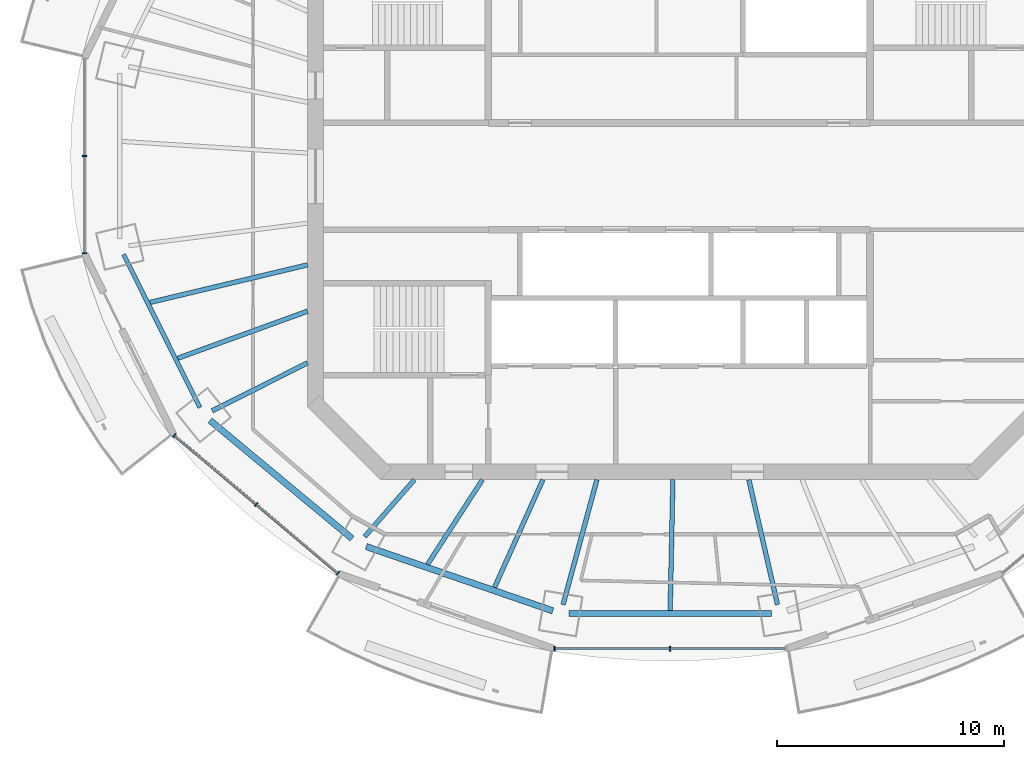
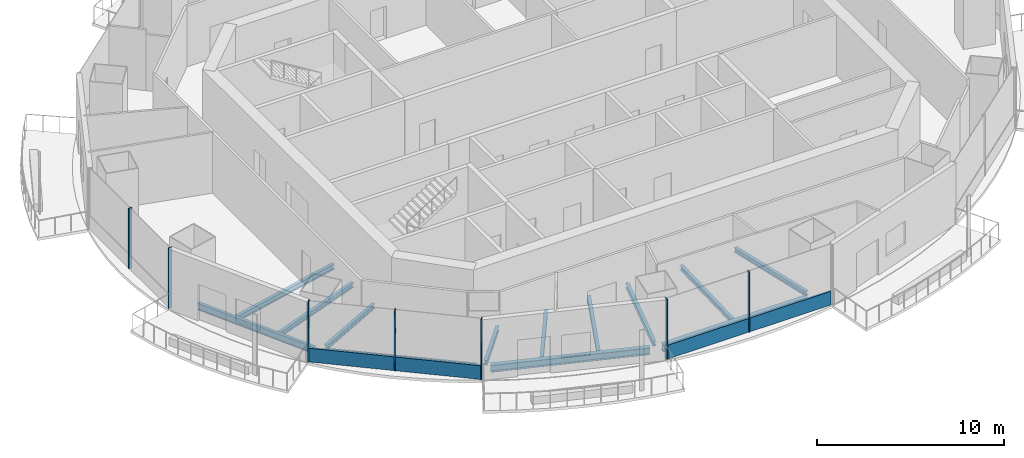
# One storey, part 2 of 16: 13 beams, 9 members, 3 elements without a shape of their own.
"""IFC4 building model written with IfcOpenShell, lengths in metres."""

from ifc_helpers import new_model, si_unit, direction, frame, origin, origin_2d, place, context, subcontext, project, spatial, rectangle, i_section, extrude, material, material_profile, profile_set, type_object, element, aggregate, save


model = new_model("IFC4")

# Units and contexts
model_context = context("Model", 3, precision=1e-05, world=origin(), true_north=direction((0.0, 1.0)))
body_context = subcontext(model_context, "Body", "Model", "MODEL_VIEW")
ifc_project = project(units=[si_unit("LENGTHUNIT", "METRE"), si_unit("AREAUNIT", "SQUARE_METRE"), si_unit("VOLUMEUNIT", "CUBIC_METRE"), si_unit("PLANEANGLEUNIT", "RADIAN"), si_unit("MASSUNIT", "GRAM", prefix="KILO")], contexts=[model_context])

# Site, building, storey
site_placement = place(None, origin())
site = spatial("IfcSite", under=ifc_project, at=site_placement, CompositionType="ELEMENT")
building_placement = place(site_placement, origin())
building = spatial("IfcBuilding", under=site, at=building_placement, Name="Marenthal Gate Tower", CompositionType="ELEMENT")
storey_placement = place(building_placement, frame((0.0, 0.0, 367.5)))
storey = spatial("IfcBuildingStorey", under=building, at=storey_placement, Name="L83", CompositionType="ELEMENT", Elevation=367.5)

# Curtain wall, members
ifc_material_1 = material(Name="Aluminium and glass", Category="aluminium")
curtain_wall_type = type_object("IfcCurtainWallType", Name="Curtain wall typical high", PredefinedType="NOTDEFINED", material=ifc_material_1)
curtain_wall_1_placement = place(storey_placement, origin())
curtain_wall_1 = element("IfcCurtainWall", 1, at=curtain_wall_1_placement, inside=storey, type_object=curtain_wall_type, Name="Curtain wall L83 bay 8", PredefinedType="NOTDEFINED")
ifc_material_2 = material(Name="Aluminium", Category="aluminium")
ifc_material_profile_1 = material_profile(ifc_material_2, rectangle(XDim=0.199951171875, YDim=0.06005859375, at=origin_2d()), Name="60x200 aluminium mullion")
ifc_profile_set_1 = profile_set([ifc_material_profile_1], Name="Aluminium")
member_type_1 = type_object("IfcMemberType", Name="Mullion 60x200 typical high", PredefinedType="MULLION", material=ifc_profile_set_1)
member_1_placement = place(storey_placement, frame((-26.160400390625, 0.89990234375, 0.0), z_axis=(0.0, 0.0, 1.0), x_axis=(1.0, 0.0, 0.0)))
member_1 = element("IfcMember", 2, at=member_1_placement, type_object=member_type_1, Name="Mullion L83 bay 8.2", PredefinedType="MULLION", context=body_context, shape_type="SweptSolid", body=[
    extrude(rectangle(XDim=0.199951171875, YDim=0.06005859375, at=origin_2d()), origin(), (0.0, 0.0, 1.0), 3.969970703125),
])
member_2_placement = place(storey_placement, frame((-26.160400390625, -3.383544921875, 0.0), z_axis=(0.0, 0.0, 1.0), x_axis=(1.0, 0.0, 0.0)))
member_2 = element("IfcMember", 3, at=member_2_placement, type_object=member_type_1, Name="Mullion L83 bay 8.3", PredefinedType="MULLION", context=body_context, shape_type="SweptSolid", body=[
    extrude(rectangle(XDim=0.199951171875, YDim=0.06005859375, at=origin_2d()), origin(), (0.0, 0.0, 1.0), 3.969970703125),
])
aggregate(curtain_wall_1, [member_1, member_2])

curtain_wall_2_placement = place(storey_placement, origin())
curtain_wall_2 = element("IfcCurtainWall", 4, at=curtain_wall_2_placement, inside=storey, type_object=curtain_wall_type, Name="Curtain wall L83 bay 10", PredefinedType="NOTDEFINED")
member_3_placement = place(storey_placement, frame((-22.215576171875, -11.403564453125, 0.0), z_axis=(0.0, 0.0, 1.0), x_axis=(0.644022605429, 0.765006459905, 0.0)))
member_3 = element("IfcMember", 5, at=member_3_placement, type_object=member_type_1, Name="Mullion L83 bay 10.1", PredefinedType="MULLION", context=body_context, shape_type="SweptSolid", body=[
    extrude(rectangle(XDim=0.199951171875, YDim=0.06005859375, at=origin_2d()), origin(), (0.0, 0.0, 1.0), 3.969970703125),
])
member_4_placement = place(storey_placement, frame((-18.615234375, -14.434326171875, 0.0), z_axis=(0.0, 0.0, 1.0), x_axis=(0.644022605429, 0.765006459905, 0.0)))
member_4 = element("IfcMember", 6, at=member_4_placement, type_object=member_type_1, Name="Mullion L83 bay 10.2", PredefinedType="MULLION", context=body_context, shape_type="SweptSolid", body=[
    extrude(rectangle(XDim=0.199951171875, YDim=0.06005859375, at=origin_2d()), origin(), (0.0, 0.0, 1.0), 3.969970703125),
])
member_5_placement = place(storey_placement, frame((-15.01513671875, -17.46533203125, 0.0), z_axis=(0.0, 0.0, 1.0), x_axis=(0.644022605429, 0.765006459905, 0.0)))
member_5 = element("IfcMember", 7, at=member_5_placement, type_object=member_type_1, Name="Mullion L83 bay 10.3", PredefinedType="MULLION", context=body_context, shape_type="SweptSolid", body=[
    extrude(rectangle(XDim=0.199951171875, YDim=0.06005859375, at=origin_2d()), origin(), (0.0, 0.0, 1.0), 3.969970703125),
])

curtain_wall_3_placement = place(storey_placement, origin())
curtain_wall_3 = element("IfcCurtainWall", 8, at=curtain_wall_3_placement, inside=storey, type_object=curtain_wall_type, Name="Curtain wall L83 bay 12", PredefinedType="NOTDEFINED")
member_6_placement = place(storey_placement, frame((-5.493896484375, -20.7861328125, 0.0), z_axis=(0.0, 0.0, 1.0), x_axis=(0.0, 1.0, 0.0)))
member_6 = element("IfcMember", 9, at=member_6_placement, type_object=member_type_1, Name="Mullion L83 bay 12.1", PredefinedType="MULLION", context=body_context, shape_type="SweptSolid", body=[
    extrude(rectangle(XDim=0.199951171875, YDim=0.06005859375, at=origin_2d()), origin(), (0.0, 0.0, 1.0), 3.969970703125),
])
member_7_placement = place(storey_placement, frame((-0.39990234375, -20.7861328125, 0.0), z_axis=(0.0, 0.0, 1.0), x_axis=(0.0, 1.0, 0.0)))
member_7 = element("IfcMember", 10, at=member_7_placement, type_object=member_type_1, Name="Mullion L83 bay 12.2", PredefinedType="MULLION", context=body_context, shape_type="SweptSolid", body=[
    extrude(rectangle(XDim=0.199951171875, YDim=0.06005859375, at=origin_2d()), origin(), (0.0, 0.0, 1.0), 3.969970703125),
])

# Member
ifc_material_3 = material(Name="Aluminium", Category="aluminium")
ifc_material_profile_2 = material_profile(ifc_material_3, rectangle(XDim=0.1201171875, YDim=0.89990234375, at=origin_2d()), Name="120x900 aluminium transom")
ifc_profile_set_2 = profile_set([ifc_material_profile_2], Name="Aluminium")
member_type_2 = type_object("IfcMemberType", Name="Transom 120x900 typical high", PredefinedType="USERDEFINED", material=ifc_profile_set_2)
member_8_placement = place(storey_placement, frame((-22.192626953125, -11.4228515625, 0.449951171875), z_axis=(0.764999870882, -0.644030432162, 0.0), x_axis=(0.644030432162, 0.764999870882, 0.0)))
member_8 = element("IfcMember", 11, at=member_8_placement, type_object=member_type_2, Name="Transom L83 bay 10", ObjectType="TRANSOM", PredefinedType="USERDEFINED", context=body_context, shape_type="SweptSolid", body=[
    extrude(rectangle(XDim=0.1201171875, YDim=0.89990234375, at=origin_2d()), origin(), (0.0, 0.0, 1.0), 9.352294921875),
])

aggregate(curtain_wall_2, [member_3, member_4, member_5, member_8])

member_9_placement = place(storey_placement, frame((-5.464111328125, -20.7861328125, 0.449951171875), z_axis=(1.0, 0.0, 0.0), x_axis=(0.0, 1.0, 0.0)))
member_9 = element("IfcMember", 12, at=member_9_placement, type_object=member_type_2, Name="Transom L83 bay 12", ObjectType="TRANSOM", PredefinedType="USERDEFINED", context=body_context, shape_type="SweptSolid", body=[
    extrude(rectangle(XDim=0.1201171875, YDim=0.89990234375, at=origin_2d()), origin(), (0.0, 0.0, 1.0), 10.128173828125),
])

aggregate(curtain_wall_3, [member_6, member_7, member_9])

# Beams
ifc_material_4 = material(Name="Steel S355", Category="steel")
ifc_material_profile_3 = material_profile(ifc_material_4, i_section(OverallWidth=0.202880859375, OverallDepth=0.302001953125, WebThickness=0.007568359375, FlangeThickness=0.01318359375, FilletRadius=0.0126953125, at=origin_2d()), Name="W310X60")
ifc_profile_set_3 = profile_set([ifc_material_profile_3], Name="Steel S355")
beam_type_1 = type_object("IfcBeamType", Name="W310X60 beam", PredefinedType="BEAM", material=ifc_profile_set_3)
beam_1_placement = place(storey_placement, frame((-11.06982421875, -17.072265625, -0.3310546875), z_axis=(0.544024630078, 0.839069247362, 0.0), x_axis=(-0.839069247362, 0.544024630078, 0.0)))
element("IfcBeam", 13, at=beam_1_placement, inside=storey, type_object=beam_type_1, Name="BM-L83-31", PredefinedType="BEAM", context=body_context, shape_type="SweptSolid", body=[
    extrude(i_section(OverallWidth=0.202880859375, OverallDepth=0.302001953125, WebThickness=0.007568359375, FlangeThickness=0.01318359375, FilletRadius=0.0126953125, at=origin_2d()), origin(), (0.0, 0.0, 1.0), 4.43603515625),
])
beam_2_placement = place(storey_placement, frame((-8.12451171875, -18.0869140625, -0.3310546875), z_axis=(0.409742917425, 0.912201042326, 0.0), x_axis=(-0.912201042326, 0.409742917425, 0.0)))
element("IfcBeam", 14, at=beam_2_placement, inside=storey, type_object=beam_type_1, Name="BM-L83-32", PredefinedType="BEAM", context=body_context, shape_type="SweptSolid", body=[
    extrude(i_section(OverallWidth=0.202880859375, OverallDepth=0.302001953125, WebThickness=0.007568359375, FlangeThickness=0.01318359375, FilletRadius=0.0126953125, at=origin_2d()), origin(), (0.0, 0.0, 1.0), 5.192626953125),
])
beam_3_placement = place(storey_placement, frame((-0.397216796875, -19.096923828125, -0.3310546875), z_axis=(0.020812008551, 0.999783406694, 0.0), x_axis=(-0.999783406694, 0.020812008551, 0.0)))
element("IfcBeam", 15, at=beam_3_placement, inside=storey, type_object=beam_type_1, Name="BM-L83-33", PredefinedType="BEAM", context=body_context, shape_type="SweptSolid", body=[
    extrude(i_section(OverallWidth=0.202880859375, OverallDepth=0.302001953125, WebThickness=0.007568359375, FlangeThickness=0.01318359375, FilletRadius=0.0126953125, at=origin_2d()), origin(), (0.0, 0.0, 1.0), 5.748046875),
])
ifc_material_5 = material(Name="Steel S355", Category="steel")
ifc_material_profile_4 = material_profile(ifc_material_5, i_section(OverallWidth=0.205078125, OverallDepth=0.31005859375, WebThickness=0.009521484375, FlangeThickness=0.016357421875, FilletRadius=0.0126953125, at=origin_2d()), Name="W310X74")
ifc_profile_set_4 = profile_set([ifc_material_profile_4], Name="Steel S355")
beam_type_2 = type_object("IfcBeamType", Name="W310X74 beam", PredefinedType="BEAM", material=ifc_profile_set_4)
beam_4_placement = place(storey_placement, frame((-20.549072265625, -10.317626953125, -0.3349609375), z_axis=(0.893688118434, 0.448688697173, 0.0), x_axis=(-0.448688697173, 0.893688118434, 0.0)))
element("IfcBeam", 16, at=beam_4_placement, inside=storey, type_object=beam_type_2, Name="BM-L83-10", PredefinedType="BEAM", context=body_context, shape_type="SweptSolid", body=[
    extrude(i_section(OverallWidth=0.205078125, OverallDepth=0.31005859375, WebThickness=0.009521484375, FlangeThickness=0.016357421875, FilletRadius=0.0126953125, at=origin_2d()), origin(), (0.0, 0.0, 1.0), 4.698486328125),
])
beam_5_placement = place(storey_placement, frame((-13.837890625, -15.854248046875, -0.3349609375), z_axis=(0.657594131615, 0.753372390034, 0.0), x_axis=(-0.753372390034, 0.657594131615, 0.0)))
element("IfcBeam", 17, at=beam_5_placement, inside=storey, type_object=beam_type_2, Name="BM-L83-11", PredefinedType="BEAM", context=body_context, shape_type="SweptSolid", body=[
    extrude(i_section(OverallWidth=0.205078125, OverallDepth=0.31005859375, WebThickness=0.009521484375, FlangeThickness=0.016357421875, FilletRadius=0.0126953125, at=origin_2d()), origin(), (0.0, 0.0, 1.0), 3.323974609375),
])
beam_6_placement = place(storey_placement, frame((-5.10986328125, -18.845947265625, -0.3349609375), z_axis=(0.261705893929, 0.965147670091, 0.0), x_axis=(-0.965147670091, 0.261705893929, 0.0)))
element("IfcBeam", 18, at=beam_6_placement, inside=storey, type_object=beam_type_2, Name="BM-L83-12", PredefinedType="BEAM", context=body_context, shape_type="SweptSolid", body=[
    extrude(i_section(OverallWidth=0.205078125, OverallDepth=0.31005859375, WebThickness=0.009521484375, FlangeThickness=0.016357421875, FilletRadius=0.0126953125, at=origin_2d()), origin(), (0.0, 0.0, 1.0), 5.6943359375),
])
beam_7_placement = place(storey_placement, frame((4.325927734375, -18.844970703125, -0.3349609375), z_axis=(-0.223752430236, 0.974646012644, 0.0), x_axis=(-0.974646012644, -0.223752430236, 0.0)))
element("IfcBeam", 19, at=beam_7_placement, inside=storey, type_object=beam_type_2, Name="BM-L83-13", PredefinedType="BEAM", context=body_context, shape_type="SweptSolid", body=[
    extrude(i_section(OverallWidth=0.205078125, OverallDepth=0.31005859375, WebThickness=0.009521484375, FlangeThickness=0.016357421875, FilletRadius=0.0126953125, at=origin_2d()), origin(), (0.0, 0.0, 1.0), 5.6376953125),
])
beam_8_placement = place(storey_placement, frame((-22.06298828125, -8.006591796875, -0.3349609375), z_axis=(0.940013731423, 0.341136607147, 0.0), x_axis=(-0.341136607147, 0.940013731423, 0.0)))
element("IfcBeam", 20, at=beam_8_placement, inside=storey, type_object=beam_type_2, Name="BM-L83-30", PredefinedType="BEAM", context=body_context, shape_type="SweptSolid", body=[
    extrude(i_section(OverallWidth=0.205078125, OverallDepth=0.31005859375, WebThickness=0.009521484375, FlangeThickness=0.016357421875, FilletRadius=0.0126953125, at=origin_2d()), origin(), (0.0, 0.0, 1.0), 6.077392578125),
])
ifc_material_6 = material(Name="Steel S355", Category="steel")
ifc_material_profile_5 = material_profile(ifc_material_6, i_section(OverallWidth=0.205078125, OverallDepth=0.35302734375, WebThickness=0.009521484375, FlangeThickness=0.016845703125, FilletRadius=0.014892578125, at=origin_2d()), Name="W360X79")
ifc_profile_set_5 = profile_set([ifc_material_profile_5], Name="Steel S355")
beam_type_3 = type_object("IfcBeamType", Name="W360X79 beam", PredefinedType="BEAM", material=ifc_profile_set_5)
beam_9_placement = place(storey_placement, frame((-23.28662109375, -5.5498046875, -0.3564453125), z_axis=(0.97275034875, 0.231855038777, 0.0), x_axis=(-0.231855038777, 0.97275034875, 0.0)))
element("IfcBeam", 21, at=beam_9_placement, inside=storey, type_object=beam_type_3, Name="BM-L83-29", PredefinedType="BEAM", context=body_context, shape_type="SweptSolid", body=[
    extrude(i_section(OverallWidth=0.205078125, OverallDepth=0.35302734375, WebThickness=0.009521484375, FlangeThickness=0.016845703125, FilletRadius=0.014892578125, at=origin_2d()), origin(), (0.0, 0.0, 1.0), 7.130859375),
])
ifc_material_7 = material(Name="Steel S355", Category="steel")
ifc_material_profile_6 = material_profile(ifc_material_7, i_section(OverallWidth=0.279052734375, OverallDepth=0.4619140625, WebThickness=0.0107421875, FlangeThickness=0.017333984375, FilletRadius=0.010009765625, at=origin_2d()), Name="W460X113")
ifc_profile_set_6 = profile_set([ifc_material_profile_6], Name="Steel S355")
beam_type_4 = type_object("IfcBeamType", Name="W460X113 beam", PredefinedType="BEAM", material=ifc_profile_set_6)
beam_10_placement = place(storey_placement, frame((-20.642333984375, -10.7412109375, -0.410888671875), z_axis=(0.768814455902, -0.639471916816, 0.0), x_axis=(0.639471916816, 0.768814455902, 0.0)))
element("IfcBeam", 22, at=beam_10_placement, inside=storey, type_object=beam_type_4, Name="BM-L83-48", PredefinedType="BEAM", context=body_context, shape_type="SweptSolid", body=[
    extrude(i_section(OverallWidth=0.279052734375, OverallDepth=0.4619140625, WebThickness=0.0107421875, FlangeThickness=0.017333984375, FilletRadius=0.010009765625, at=origin_2d()), origin(), (0.0, 0.0, 1.0), 8.1259765625),
])
beam_11_placement = place(storey_placement, frame((-13.770751953125, -16.289306640625, -0.410888671875), z_axis=(0.945465237287, -0.325723018964, 0.0), x_axis=(0.325723018964, 0.945465237287, 0.0)))
element("IfcBeam", 23, at=beam_11_placement, inside=storey, type_object=beam_type_4, Name="BM-L83-49", PredefinedType="BEAM", context=body_context, shape_type="SweptSolid", body=[
    extrude(i_section(OverallWidth=0.279052734375, OverallDepth=0.4619140625, WebThickness=0.0107421875, FlangeThickness=0.017333984375, FilletRadius=0.010009765625, at=origin_2d()), origin(), (0.0, 0.0, 1.0), 8.686279296875),
])
beam_12_placement = place(storey_placement, frame((-4.854248046875, -19.236572265625, -0.410888671875), z_axis=(1.0, 0.0, 0.0), x_axis=(0.0, 1.0, 0.0)))
element("IfcBeam", 24, at=beam_12_placement, inside=storey, type_object=beam_type_4, Name="BM-L83-50", PredefinedType="BEAM", context=body_context, shape_type="SweptSolid", body=[
    extrude(i_section(OverallWidth=0.279052734375, OverallDepth=0.4619140625, WebThickness=0.0107421875, FlangeThickness=0.017333984375, FilletRadius=0.010009765625, at=origin_2d()), origin(), (0.0, 0.0, 1.0), 8.908447265625),
])
ifc_material_8 = material(Name="Steel S355", Category="steel")
ifc_material_profile_7 = material_profile(ifc_material_8, i_section(OverallWidth=0.19091796875, OverallDepth=0.45703125, WebThickness=0.009033203125, FlangeThickness=0.014404296875, FilletRadius=0.01025390625, at=origin_2d()), Name="W460X74")
ifc_profile_set_7 = profile_set([ifc_material_profile_7], Name="Steel S355")
beam_type_5 = type_object("IfcBeamType", Name="W460X74 beam", PredefinedType="BEAM", material=ifc_profile_set_7)
beam_13_placement = place(storey_placement, frame((-24.444580078125, -3.438720703125, -0.408447265625), z_axis=(0.445798626481, -0.895133277578, 0.0), x_axis=(0.895133277578, 0.445798626481, 0.0)))
element("IfcBeam", 25, at=beam_13_placement, inside=storey, type_object=beam_type_5, Name="BM-L83-47", PredefinedType="BEAM", context=body_context, shape_type="SweptSolid", body=[
    extrude(i_section(OverallWidth=0.19091796875, OverallDepth=0.45703125, WebThickness=0.009033203125, FlangeThickness=0.014404296875, FilletRadius=0.01025390625, at=origin_2d()), origin(), (0.0, 0.0, 1.0), 7.52587890625),
])

save(model, "model.ifc")
